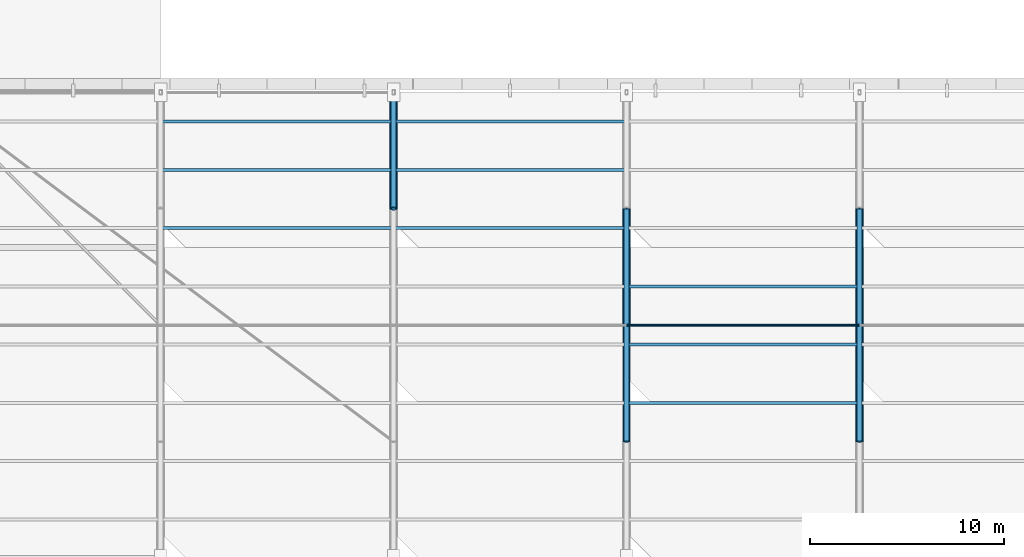
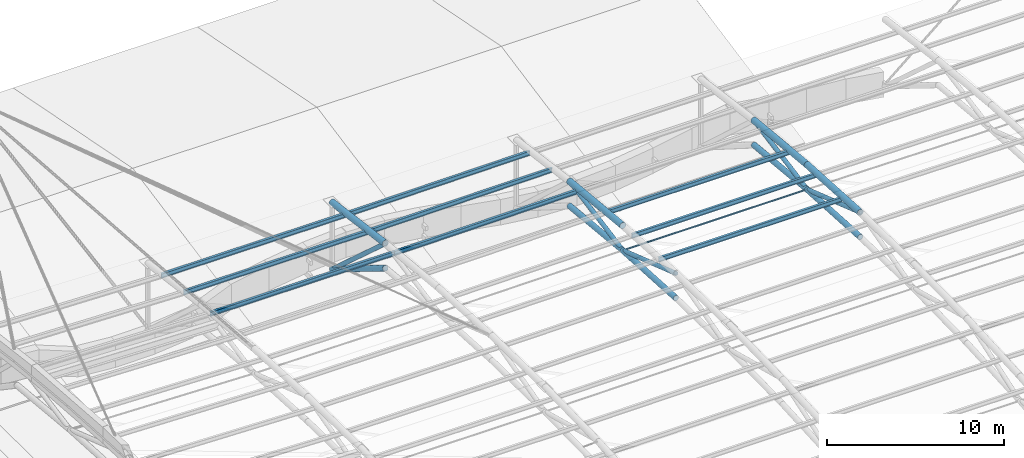
# One storey, part 13 of 29: 24 members.
"""IFC4 building model written with IfcOpenShell, lengths in metres."""

from ifc_helpers import new_model, si_unit, direction, frame, origin, origin_2d, place, context, subcontext, project, spatial, hollow_circle, i_section, extrude, material, material_profile, profile_set, type_object, element, save


model = new_model("IFC4")

# Units and contexts
model_context = context("Model", 3, precision=1e-05, world=origin(), true_north=direction((0.0, 1.0)))
body_context = subcontext(model_context, "Body", "Model", "MODEL_VIEW")
ifc_project = project(units=[si_unit("LENGTHUNIT", "METRE"), si_unit("AREAUNIT", "SQUARE_METRE"), si_unit("VOLUMEUNIT", "CUBIC_METRE"), si_unit("PLANEANGLEUNIT", "RADIAN"), si_unit("MASSUNIT", "GRAM", prefix="KILO")], contexts=[model_context])

# Site, building, storey
site_placement = place(None, origin())
site = spatial("IfcSite", under=ifc_project, at=site_placement, CompositionType="ELEMENT")
building_placement = place(site_placement, origin())
building = spatial("IfcBuilding", under=site, at=building_placement, Name="Keelwater Ferry Terminal", CompositionType="ELEMENT")
storey_placement = place(building_placement, frame((0.0, 0.0, 27.89990234375)))
storey = spatial("IfcBuildingStorey", under=building, at=storey_placement, Name="RF", CompositionType="ELEMENT", Elevation=27.89990234375)

# Members
ifc_material_1 = material(Name="Steel S355", Category="steel")
ifc_material_profile_1 = material_profile(ifc_material_1, hollow_circle(Radius=0.136474609375, WallThickness=0.012451171875, at=origin_2d()), Name="CHS 273x12.5")
ifc_profile_set_1 = profile_set([ifc_material_profile_1], Name="Steel S355")
member_type_1 = type_object("IfcMemberType", Name="BR2 CHS 273x12.5", PredefinedType="BRACE", material=ifc_profile_set_1)
member_1_placement = place(storey_placement, frame((72.0, 84.0, -7.637939453125), z_axis=(0.0, 0.742563535774, -0.669775630595), x_axis=(-1.0, 0.0, 0.0)))
element("IfcMember", 1, at=member_1_placement, inside=storey, type_object=member_type_1, Name="Structural Member MB-RF-0096", PredefinedType="BRACE", context=body_context, shape_type="SweptSolid", body=[
    extrude(hollow_circle(Radius=0.136474609375, WallThickness=0.012451171875, at=origin_2d()), origin(), (0.0, 0.0, 1.0), 8.080078125),
])
member_2_placement = place(storey_placement, frame((84.0, 72.0, -6.630859375), z_axis=(0.0, 0.946429966212, -0.322909149849), x_axis=(-1.0, 0.0, 0.0)))
element("IfcMember", 2, at=member_2_placement, inside=storey, type_object=member_type_1, Name="Structural Member MB-RF-0122", PredefinedType="BRACE", context=body_context, shape_type="SweptSolid", body=[
    extrude(hollow_circle(Radius=0.136474609375, WallThickness=0.012451171875, at=origin_2d()), origin(), (0.0, 0.0, 1.0), 6.339599609375),
])
member_3_placement = place(storey_placement, frame((84.0, 78.0, -8.677978515625), z_axis=(0.0, 0.982959013804, 0.183824854632), x_axis=(-1.0, 0.0, 0.0)))
element("IfcMember", 3, at=member_3_placement, inside=storey, type_object=member_type_1, Name="Structural Member MB-RF-0125", PredefinedType="BRACE", context=body_context, shape_type="SweptSolid", body=[
    extrude(hollow_circle(Radius=0.136474609375, WallThickness=0.012451171875, at=origin_2d()), origin(), (0.0, 0.0, 1.0), 6.10400390625),
])
member_4_placement = place(storey_placement, frame((96.0, 72.0, -6.630859375), z_axis=(0.0, 0.946429966212, -0.322909149849), x_axis=(-1.0, 0.0, 0.0)))
element("IfcMember", 4, at=member_4_placement, inside=storey, type_object=member_type_1, Name="Structural Member MB-RF-0154", PredefinedType="BRACE", context=body_context, shape_type="SweptSolid", body=[
    extrude(hollow_circle(Radius=0.136474609375, WallThickness=0.012451171875, at=origin_2d()), origin(), (0.0, 0.0, 1.0), 6.339599609375),
])
member_5_placement = place(storey_placement, frame((96.0, 78.0, -8.677978515625), z_axis=(0.0, 0.982959013804, 0.183824854632), x_axis=(-1.0, 0.0, 0.0)))
element("IfcMember", 5, at=member_5_placement, inside=storey, type_object=member_type_1, Name="Structural Member MB-RF-0157", PredefinedType="BRACE", context=body_context, shape_type="SweptSolid", body=[
    extrude(hollow_circle(Radius=0.136474609375, WallThickness=0.012451171875, at=origin_2d()), origin(), (0.0, 0.0, 1.0), 6.10400390625),
])
ifc_material_2 = material(Name="Steel S355", Category="steel")
ifc_material_profile_2 = material_profile(ifc_material_2, i_section(OverallWidth=0.14990234375, OverallDepth=0.300048828125, WebThickness=0.007080078125, FlangeThickness=0.0107421875, at=origin_2d()), Name="IPE 300")
ifc_profile_set_2 = profile_set([ifc_material_profile_2], Name="Steel S355")
member_type_2 = type_object("IfcMemberType", Name="PR1 IPE 300", PredefinedType="PURLIN", material=ifc_profile_set_2)
for number, where, z_axis, x_axis, name in (
    (6, (60.0, 83.0, -7.681884765625), (0.999999327586, 0.0, -0.001159667189), (0.0, 1.0, 0.0), "Structural Member MB-RF-0288"),
    (7, (60.0, 86.0, -8.037841796875), (0.999999303785, 0.0, -0.001180012199), (0.0, 1.0, 0.0), "Structural Member MB-RF-0289"),
    (8, (60.0, 88.5, -8.3798828125), (0.999999327586, 0.0, -0.001159667189), (0.0, 1.0, 0.0), "Structural Member MB-RF-0290"),
):
    element("IfcMember", number, at=place(storey_placement, frame(where, z_axis=z_axis, x_axis=x_axis)), inside=storey, type_object=member_type_2, Name=name, PredefinedType="PURLIN", context=body_context, shape_type="SweptSolid", body=[
        extrude(i_section(OverallWidth=0.14990234375, OverallDepth=0.300048828125, WebThickness=0.007080078125, FlangeThickness=0.0107421875, at=origin_2d()), origin(), (0.0, 0.0, 1.0), 12.0),
    ])
for number, where, z_axis, x_axis, name in (
    (9, (72.0, 83.0, -7.69580078125), (0.999976076216, 0.0, 0.00691715222), (0.0, 1.0, 0.0), "Structural Member MB-RF-0307"),
    (10, (72.0, 86.0, -8.052001953125), (0.999976635798, 0.0, 0.006835777784), (0.0, 1.0, 0.0), "Structural Member MB-RF-0308"),
    (11, (72.0, 88.5, -8.393798828125), (0.999976076216, 0.0, 0.00691715222), (0.0, 1.0, 0.0), "Structural Member MB-RF-0309"),
):
    element("IfcMember", number, at=place(storey_placement, frame(where, z_axis=z_axis, x_axis=x_axis)), inside=storey, type_object=member_type_2, Name=name, PredefinedType="PURLIN", context=body_context, shape_type="SweptSolid", body=[
        extrude(i_section(OverallWidth=0.14990234375, OverallDepth=0.300048828125, WebThickness=0.007080078125, FlangeThickness=0.0107421875, at=origin_2d()), origin(), (0.0, 0.0, 1.0), 12.000244140625),
    ])
for number, where, z_axis, x_axis, name in (
    (12, (84.0, 74.0, -6.890869140625), (1.0, 0.0, 0.0), (0.0, 1.0, 0.0), "Structural Member MB-RF-0323"),
    (13, (84.0, 77.0, -7.073974609375), (1.0, 0.0, 0.0), (0.0, 1.0, 0.0), "Structural Member MB-RF-0324"),
    (14, (84.0, 80.0, -7.31494140625), (1.0, 0.0, 0.0), (0.0, 1.0, 0.0), "Structural Member MB-RF-0325"),
):
    element("IfcMember", number, at=place(storey_placement, frame(where, z_axis=z_axis, x_axis=x_axis)), inside=storey, type_object=member_type_2, Name=name, PredefinedType="PURLIN", context=body_context, shape_type="SweptSolid", body=[
        extrude(i_section(OverallWidth=0.14990234375, OverallDepth=0.300048828125, WebThickness=0.007080078125, FlangeThickness=0.0107421875, at=origin_2d()), origin(), (0.0, 0.0, 1.0), 12.0),
    ])
ifc_material_3 = material(Name="Steel S460", Category="steel")
ifc_material_profile_3 = material_profile(ifc_material_3, hollow_circle(Radius=0.05712890625, WallThickness=0.010009765625, at=origin_2d()), Name="CHS 114.3x10")
ifc_profile_set_3 = profile_set([ifc_material_profile_3], Name="Steel S460")
member_type_3 = type_object("IfcMemberType", Name="SC3 CHS 114.3x10", PredefinedType="USERDEFINED", material=ifc_profile_set_3)
member_6_placement = place(storey_placement, frame((84.0, 78.0, -8.677978515625), z_axis=(1.0, 0.0, 0.0), x_axis=(0.0, 1.0, 0.0)))
element("IfcMember", 15, at=member_6_placement, inside=storey, type_object=member_type_3, Name="Structural Member MB-RF-0424", ObjectType="CABLE", PredefinedType="USERDEFINED", context=body_context, shape_type="SweptSolid", body=[
    extrude(hollow_circle(Radius=0.05712890625, WallThickness=0.010009765625, at=origin_2d()), origin(), (0.0, 0.0, 1.0), 12.0),
])
ifc_material_4 = material(Name="Steel S355", Category="steel")
ifc_material_profile_4 = material_profile(ifc_material_4, hollow_circle(Radius=0.203125, WallThickness=0.01611328125, at=origin_2d()), Name="CHS 406.4x16")
ifc_profile_set_4 = profile_set([ifc_material_profile_4], Name="Steel S355")
member_type_4 = type_object("IfcMemberType", Name="TC1 CHS 406.4x16", PredefinedType="CHORD", material=ifc_profile_set_4)
member_7_placement = place(storey_placement, frame((72.0, 84.0, -7.637939453125), z_axis=(0.0, 0.991008911296, -0.133795880846), x_axis=(-1.0, 0.0, 0.0)))
element("IfcMember", 16, at=member_7_placement, inside=storey, type_object=member_type_4, Name="Structural Member MB-RF-0094", PredefinedType="CHORD", context=body_context, shape_type="SweptSolid", body=[
    extrude(hollow_circle(Radius=0.203125, WallThickness=0.01611328125, at=origin_2d()), origin(), (0.0, 0.0, 1.0), 6.054443359375),
])
member_8_placement = place(storey_placement, frame((84.0, 78.0, -6.977783203125), z_axis=(0.0, 0.995390012341, -0.095909975147), x_axis=(-1.0, 0.0, 0.0)))
element("IfcMember", 17, at=member_8_placement, inside=storey, type_object=member_type_4, Name="Structural Member MB-RF-0123", PredefinedType="CHORD", context=body_context, shape_type="SweptSolid", body=[
    extrude(hollow_circle(Radius=0.203125, WallThickness=0.01611328125, at=origin_2d()), origin(), (0.0, 0.0, 1.0), 6.02783203125),
])
member_9_placement = place(storey_placement, frame((96.0, 72.0, -6.630859375), z_axis=(0.0, 0.998332566702, -0.057724225964), x_axis=(-1.0, 0.0, 0.0)))
element("IfcMember", 18, at=member_9_placement, inside=storey, type_object=member_type_4, Name="Structural Member MB-RF-0152", PredefinedType="CHORD", context=body_context, shape_type="SweptSolid", body=[
    extrude(hollow_circle(Radius=0.203125, WallThickness=0.01611328125, at=origin_2d()), origin(), (0.0, 0.0, 1.0), 6.010009765625),
])
member_10_placement = place(storey_placement, frame((96.0, 78.0, -6.977783203125), z_axis=(0.0, 0.995390012341, -0.095909975147), x_axis=(-1.0, 0.0, 0.0)))
element("IfcMember", 19, at=member_10_placement, inside=storey, type_object=member_type_4, Name="Structural Member MB-RF-0155", PredefinedType="CHORD", context=body_context, shape_type="SweptSolid", body=[
    extrude(hollow_circle(Radius=0.203125, WallThickness=0.01611328125, at=origin_2d()), origin(), (0.0, 0.0, 1.0), 6.02783203125),
])
ifc_material_5 = material(Name="Steel S355", Category="steel")
ifc_material_profile_5 = material_profile(ifc_material_5, hollow_circle(Radius=0.177734375, WallThickness=0.01611328125, at=origin_2d()), Name="CHS 355.6x16")
ifc_profile_set_5 = profile_set([ifc_material_profile_5], Name="Steel S355")
member_type_5 = type_object("IfcMemberType", Name="TC2 CHS 355.6x16", PredefinedType="CHORD", material=ifc_profile_set_5)
member_11_placement = place(storey_placement, frame((72.0, 84.0, -9.337890625), z_axis=(0.0, 0.850415552082, -0.526111574457), x_axis=(-1.0, 0.0, 0.0)))
element("IfcMember", 20, at=member_11_placement, inside=storey, type_object=member_type_5, Name="Structural Member MB-RF-0095", PredefinedType="CHORD", context=body_context, shape_type="SweptSolid", body=[
    extrude(hollow_circle(Radius=0.177734375, WallThickness=0.01611328125, at=origin_2d()), origin(), (0.0, 0.0, 1.0), 7.055419921875),
])
member_12_placement = place(storey_placement, frame((84.0, 72.0, -8.330810546875), z_axis=(0.0, 0.998330224908, -0.05776471272), x_axis=(-1.0, 0.0, 0.0)))
element("IfcMember", 21, at=member_12_placement, inside=storey, type_object=member_type_5, Name="Structural Member MB-RF-0121", PredefinedType="CHORD", context=body_context, shape_type="SweptSolid", body=[
    extrude(hollow_circle(Radius=0.177734375, WallThickness=0.01611328125, at=origin_2d()), origin(), (0.0, 0.0, 1.0), 6.010009765625),
])
member_13_placement = place(storey_placement, frame((84.0, 78.0, -8.677978515625), z_axis=(0.0, 0.995393878235, -0.095869844962), x_axis=(-1.0, 0.0, 0.0)))
element("IfcMember", 22, at=member_13_placement, inside=storey, type_object=member_type_5, Name="Structural Member MB-RF-0124", PredefinedType="CHORD", context=body_context, shape_type="SweptSolid", body=[
    extrude(hollow_circle(Radius=0.177734375, WallThickness=0.01611328125, at=origin_2d()), origin(), (0.0, 0.0, 1.0), 6.02783203125),
])
member_14_placement = place(storey_placement, frame((96.0, 72.0, -8.330810546875), z_axis=(0.0, 0.998330224908, -0.05776471272), x_axis=(-1.0, 0.0, 0.0)))
element("IfcMember", 23, at=member_14_placement, inside=storey, type_object=member_type_5, Name="Structural Member MB-RF-0153", PredefinedType="CHORD", context=body_context, shape_type="SweptSolid", body=[
    extrude(hollow_circle(Radius=0.177734375, WallThickness=0.01611328125, at=origin_2d()), origin(), (0.0, 0.0, 1.0), 6.010009765625),
])
member_15_placement = place(storey_placement, frame((96.0, 78.0, -8.677978515625), z_axis=(0.0, 0.995393878235, -0.095869844962), x_axis=(-1.0, 0.0, 0.0)))
element("IfcMember", 24, at=member_15_placement, inside=storey, type_object=member_type_5, Name="Structural Member MB-RF-0156", PredefinedType="CHORD", context=body_context, shape_type="SweptSolid", body=[
    extrude(hollow_circle(Radius=0.177734375, WallThickness=0.01611328125, at=origin_2d()), origin(), (0.0, 0.0, 1.0), 6.02783203125),
])

save(model, "model.ifc")
